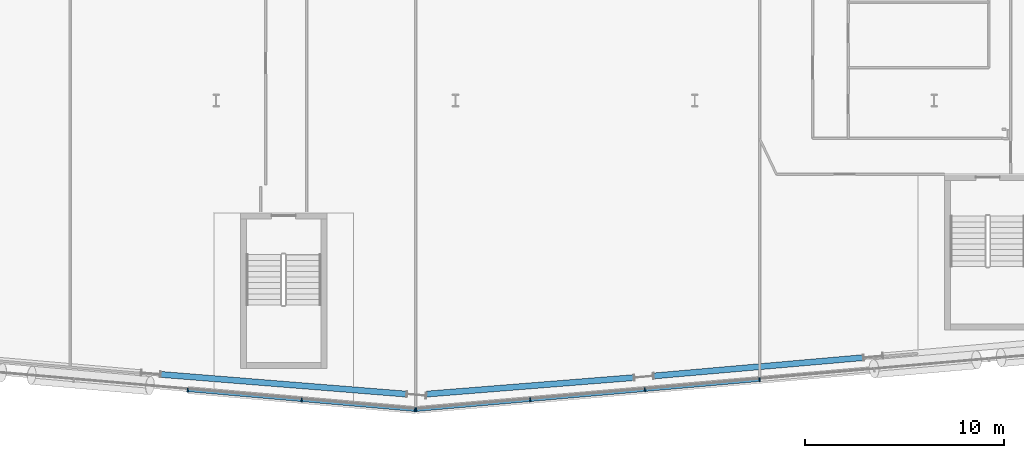
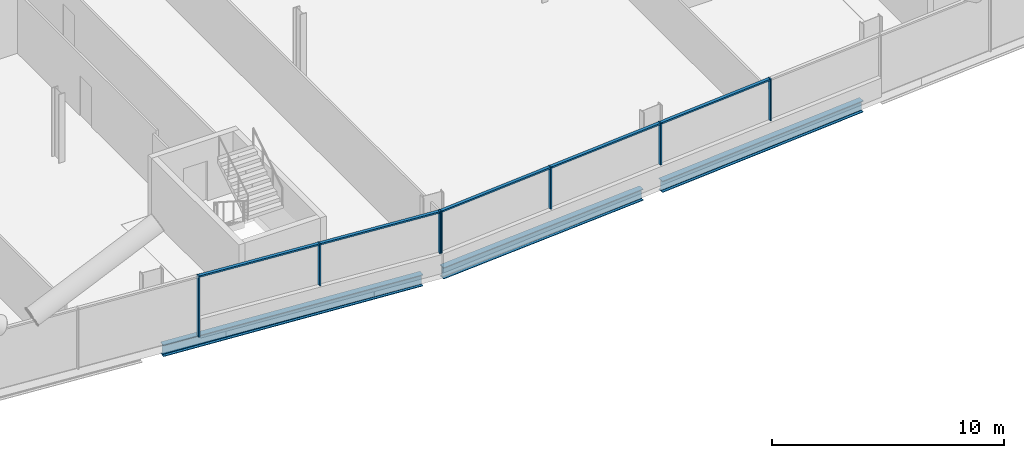
# One storey, part 6 of 25: 12 members, 3 beams, 2 elements without a shape of their own.
"""IFC4 building model written with IfcOpenShell, lengths in metres."""

from ifc_helpers import new_model, si_unit, direction, frame, origin, origin_2d, place, context, subcontext, project, spatial, rectangle, i_section, extrude, material, material_profile, profile_set, type_object, element, aggregate, save


model = new_model("IFC4")

# Units and contexts
model_context = context("Model", 3, precision=1e-05, world=origin(), true_north=direction((0.0, 1.0)))
body_context = subcontext(model_context, "Body", "Model", "MODEL_VIEW")
ifc_project = project(units=[si_unit("LENGTHUNIT", "METRE"), si_unit("AREAUNIT", "SQUARE_METRE"), si_unit("VOLUMEUNIT", "CUBIC_METRE"), si_unit("PLANEANGLEUNIT", "RADIAN"), si_unit("MASSUNIT", "GRAM", prefix="KILO")], contexts=[model_context])

# Site, building, storey
site_placement = place(None, origin())
site = spatial("IfcSite", under=ifc_project, at=site_placement, CompositionType="ELEMENT")
building_placement = place(site_placement, origin())
building = spatial("IfcBuilding", under=site, at=building_placement, Name="Wharfspan Tower", CompositionType="ELEMENT")
storey_placement = place(building_placement, frame((0.0, 0.0, 70.300049)))
storey = spatial("IfcBuildingStorey", under=building, at=storey_placement, Name="L14", CompositionType="ELEMENT", Elevation=70.300049)

# Beams
ifc_material_1 = material(Name="Steel S355J2", Category="steel")
ifc_material_profile_1 = material_profile(ifc_material_1, i_section(OverallWidth=0.300049, OverallDepth=0.600098, WebThickness=0.015381, FlangeThickness=0.030029, FilletRadius=0.0271, at=origin_2d()))
ifc_profile_set_1 = profile_set([ifc_material_profile_1], Name="Steel S355J2")
beam_type = type_object("IfcBeamType", Name="Edge beam HEB 600", PredefinedType="SPANDREL", material=ifc_profile_set_1)
beam_1_placement = place(storey_placement, frame((33.222656, -2.240479, -0.699951), z_axis=(0.996802, -0.079913, 0.0), x_axis=(0.079913, 0.996802, 0.0)))
element("IfcBeam", 1, at=beam_1_placement, inside=storey, type_object=beam_type, Name="Edge beam S1 L14 PS1.3 to PS1.4", PredefinedType="SPANDREL", context=body_context, shape_type="SweptSolid", body=[
    extrude(i_section(OverallWidth=0.300049, OverallDepth=0.600098, WebThickness=0.015381, FlangeThickness=0.030029, FilletRadius=0.0271, at=origin_2d()), origin(), (0.0, 0.0, 1.0), 12.36084),
])
beam_2_placement = place(storey_placement, frame((46.547852, -3.228027, -0.699951), z_axis=(0.996848, 0.079335, 0.0), x_axis=(-0.079335, 0.996848, 0.0)))
element("IfcBeam", 2, at=beam_2_placement, inside=storey, type_object=beam_type, Name="Edge beam S2 L14 PS1.4 to PS2.1", PredefinedType="SPANDREL", context=body_context, shape_type="SweptSolid", body=[
    extrude(i_section(OverallWidth=0.300049, OverallDepth=0.600098, WebThickness=0.015381, FlangeThickness=0.030029, FilletRadius=0.0271, at=origin_2d()), origin(), (0.0, 0.0, 1.0), 10.429199),
])
beam_3_placement = place(storey_placement, frame((57.940674, -2.317383, -0.699951), z_axis=(0.996195, 0.087155, 0.0), x_axis=(-0.087155, 0.996195, 0.0)))
element("IfcBeam", 3, at=beam_3_placement, inside=storey, type_object=beam_type, Name="Edge beam S2 L14 PS2.1 to PS2.2", PredefinedType="SPANDREL", context=body_context, shape_type="SweptSolid", body=[
    extrude(i_section(OverallWidth=0.300049, OverallDepth=0.600098, WebThickness=0.015381, FlangeThickness=0.030029, FilletRadius=0.0271, at=origin_2d()), origin(), (0.0, 0.0, 1.0), 10.543701),
])

# Curtain wall, members
ifc_material_2 = material(Name="Aluminium 6063-T6", Category="aluminium")
curtain_wall_type = type_object("IfcCurtainWallType", Name="CURTAIN WALL FACETED FRONT", PredefinedType="NOTDEFINED", material=ifc_material_2)
curtain_wall_1_placement = place(storey_placement, origin())
curtain_wall_1 = element("IfcCurtainWall", 4, at=curtain_wall_1_placement, inside=storey, type_object=curtain_wall_type, Name="Curtain wall S1", PredefinedType="NOTDEFINED")
ifc_material_profile_2 = material_profile(ifc_material_2, rectangle(XDim=0.199951, YDim=0.060059, at=origin_2d()))
ifc_profile_set_2 = profile_set([ifc_material_profile_2], Name="Aluminium 6063-T6")
member_type_1 = type_object("IfcMemberType", Name="MULLION FACETED FRONT 60x200", PredefinedType="MULLION", material=ifc_profile_set_2)
member_1_placement = place(storey_placement, frame((34.571533, -3.024658, 0.0), z_axis=(0.0, 0.0, 1.0), x_axis=(0.087156, 0.996197, 0.0)))
member_1 = element("IfcMember", 5, at=member_1_placement, type_object=member_type_1, Name="Curtain wall S1 mullion 6", PredefinedType="MULLION", context=body_context, shape_type="SweptSolid", body=[
    extrude(rectangle(XDim=0.199951, YDim=0.060059, at=origin_2d()), origin(), (0.0, 0.0, 1.0), 3.199951),
])
member_2_placement = place(storey_placement, frame((40.285645, -3.524658, 1.0), z_axis=(0.0, 0.0, 1.0), x_axis=(0.087156, 0.996197, 0.0)))
member_2 = element("IfcMember", 6, at=member_2_placement, type_object=member_type_1, Name="Curtain wall S1 mullion 7", PredefinedType="MULLION", context=body_context, shape_type="SweptSolid", body=[
    extrude(rectangle(XDim=0.199951, YDim=0.060059, at=origin_2d()), origin(), (0.0, 0.0, 1.0), 2.199951),
])
member_3_placement = place(storey_placement, frame((45.970215, -4.021973, 1.0), z_axis=(0.0, 0.0, 1.0), x_axis=(0.087156, 0.996197, 0.0)))
member_3 = element("IfcMember", 7, at=member_3_placement, type_object=member_type_1, Name="Curtain wall S1 mullion 8", PredefinedType="MULLION", context=body_context, shape_type="SweptSolid", body=[
    extrude(rectangle(XDim=0.199951, YDim=0.060059, at=origin_2d()), origin(), (0.0, 0.0, 1.0), 2.199951),
])

curtain_wall_2_placement = place(storey_placement, origin())
curtain_wall_2 = element("IfcCurtainWall", 8, at=curtain_wall_2_placement, inside=storey, type_object=curtain_wall_type, Name="Curtain wall S2", PredefinedType="NOTDEFINED")
member_4_placement = place(storey_placement, frame((46.029785, -4.021973, 1.0), z_axis=(0.0, 0.0, 1.0), x_axis=(-0.087156, 0.996197, 0.0)))
member_4 = element("IfcMember", 9, at=member_4_placement, type_object=member_type_1, Name="Curtain wall S2 mullion 1", PredefinedType="MULLION", context=body_context, shape_type="SweptSolid", body=[
    extrude(rectangle(XDim=0.199951, YDim=0.060059, at=origin_2d()), origin(), (0.0, 0.0, 1.0), 2.199951),
])
member_5_placement = place(storey_placement, frame((51.75, -3.521484, 1.0), z_axis=(0.0, 0.0, 1.0), x_axis=(-0.087156, 0.996197, 0.0)))
member_5 = element("IfcMember", 10, at=member_5_placement, type_object=member_type_1, Name="Curtain wall S2 mullion 2", PredefinedType="MULLION", context=body_context, shape_type="SweptSolid", body=[
    extrude(rectangle(XDim=0.199951, YDim=0.060059, at=origin_2d()), origin(), (0.0, 0.0, 1.0), 2.199951),
])
member_6_placement = place(storey_placement, frame((57.5, -3.018311, 1.0), z_axis=(0.0, 0.0, 1.0), x_axis=(-0.087156, 0.996197, 0.0)))
member_6 = element("IfcMember", 11, at=member_6_placement, type_object=member_type_1, Name="Curtain wall S2 mullion 3", PredefinedType="MULLION", context=body_context, shape_type="SweptSolid", body=[
    extrude(rectangle(XDim=0.199951, YDim=0.060059, at=origin_2d()), origin(), (0.0, 0.0, 1.0), 2.199951),
])
member_7_placement = place(storey_placement, frame((63.25, -2.515381, 1.0), z_axis=(0.0, 0.0, 1.0), x_axis=(-0.087156, 0.996197, 0.0)))
member_7 = element("IfcMember", 12, at=member_7_placement, type_object=member_type_1, Name="Curtain wall S2 mullion 4", PredefinedType="MULLION", context=body_context, shape_type="SweptSolid", body=[
    extrude(rectangle(XDim=0.199951, YDim=0.060059, at=origin_2d()), origin(), (0.0, 0.0, 1.0), 2.199951),
])

# Member
ifc_material_profile_3 = material_profile(ifc_material_2, rectangle(XDim=0.159912, YDim=0.080078, at=origin_2d()))
ifc_profile_set_3 = profile_set([ifc_material_profile_3], Name="Aluminium 6063-T6")
member_type_2 = type_object("IfcMemberType", Name="TRANSOM FACETED FRONT 80x160", PredefinedType="USERDEFINED", material=ifc_profile_set_3)
member_8_placement = place(storey_placement, frame((34.601318, -3.027344, 3.159912), z_axis=(0.996196, -0.087142, 0.0), x_axis=(0.087142, 0.996196, 0.0)))
member_8 = element("IfcMember", 13, at=member_8_placement, type_object=member_type_2, Name="Curtain wall S1 transom 6", ObjectType="TRANSOM", PredefinedType="USERDEFINED", context=body_context, shape_type="SweptSolid", body=[
    extrude(rectangle(XDim=0.159912, YDim=0.080078, at=origin_2d()), origin(), (0.0, 0.0, 1.0), 5.676025),
])

member_9_placement = place(storey_placement, frame((40.315674, -3.5271, 3.159912), z_axis=(0.996193, -0.087174, 0.0), x_axis=(0.087174, 0.996193, 0.0)))
member_9 = element("IfcMember", 14, at=member_9_placement, type_object=member_type_2, Name="Curtain wall S1 transom 7", ObjectType="TRANSOM", PredefinedType="USERDEFINED", context=body_context, shape_type="SweptSolid", body=[
    extrude(rectangle(XDim=0.159912, YDim=0.080078, at=origin_2d()), origin(), (0.0, 0.0, 1.0), 5.645996),
])

aggregate(curtain_wall_1, [member_1, member_2, member_3, member_8, member_9])

member_10_placement = place(storey_placement, frame((46.059814, -4.019287, 3.159912), z_axis=(0.996193, 0.08718, 0.0), x_axis=(-0.08718, 0.996193, 0.0)))
member_10 = element("IfcMember", 15, at=member_10_placement, type_object=member_type_2, Name="Curtain wall S2 transom 1", ObjectType="TRANSOM", PredefinedType="USERDEFINED", context=body_context, shape_type="SweptSolid", body=[
    extrude(rectangle(XDim=0.159912, YDim=0.080078, at=origin_2d()), origin(), (0.0, 0.0, 1.0), 5.682129),
])

member_11_placement = place(storey_placement, frame((51.779785, -3.518799, 3.159912), z_axis=(0.996195, 0.087148, 0.0), x_axis=(-0.087148, 0.996195, 0.0)))
member_11 = element("IfcMember", 16, at=member_11_placement, type_object=member_type_2, Name="Curtain wall S2 transom 2", ObjectType="TRANSOM", PredefinedType="USERDEFINED", context=body_context, shape_type="SweptSolid", body=[
    extrude(rectangle(XDim=0.159912, YDim=0.080078, at=origin_2d()), origin(), (0.0, 0.0, 1.0), 5.712158),
])

member_12_placement = place(storey_placement, frame((57.529785, -3.015625, 3.159912), z_axis=(0.996195, 0.087148, 0.0), x_axis=(-0.087148, 0.996195, 0.0)))
member_12 = element("IfcMember", 17, at=member_12_placement, type_object=member_type_2, Name="Curtain wall S2 transom 3", ObjectType="TRANSOM", PredefinedType="USERDEFINED", context=body_context, shape_type="SweptSolid", body=[
    extrude(rectangle(XDim=0.159912, YDim=0.080078, at=origin_2d()), origin(), (0.0, 0.0, 1.0), 5.712158),
])

aggregate(curtain_wall_2, [member_4, member_5, member_6, member_7, member_10, member_11, member_12])

save(model, "model.ifc")
